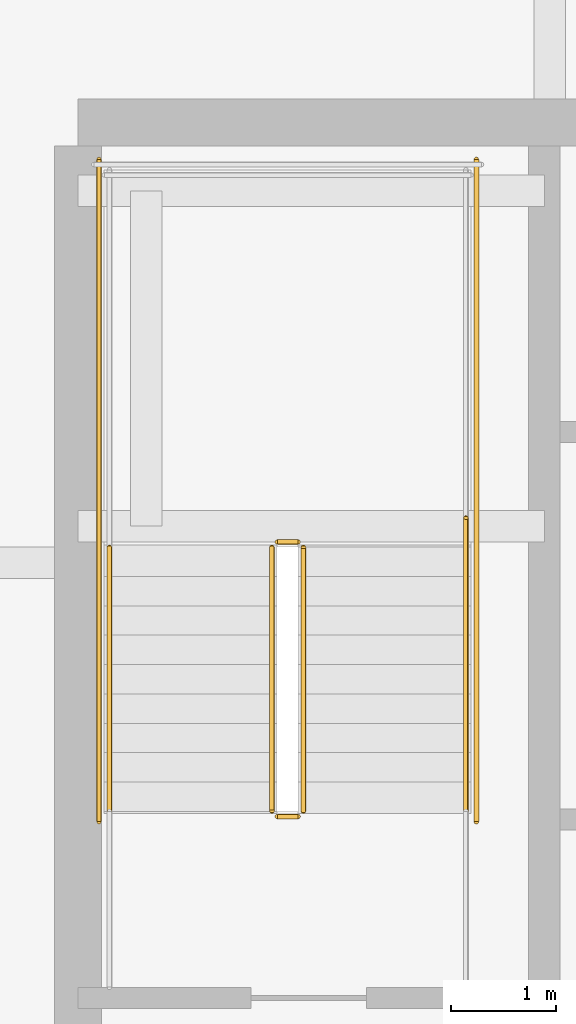
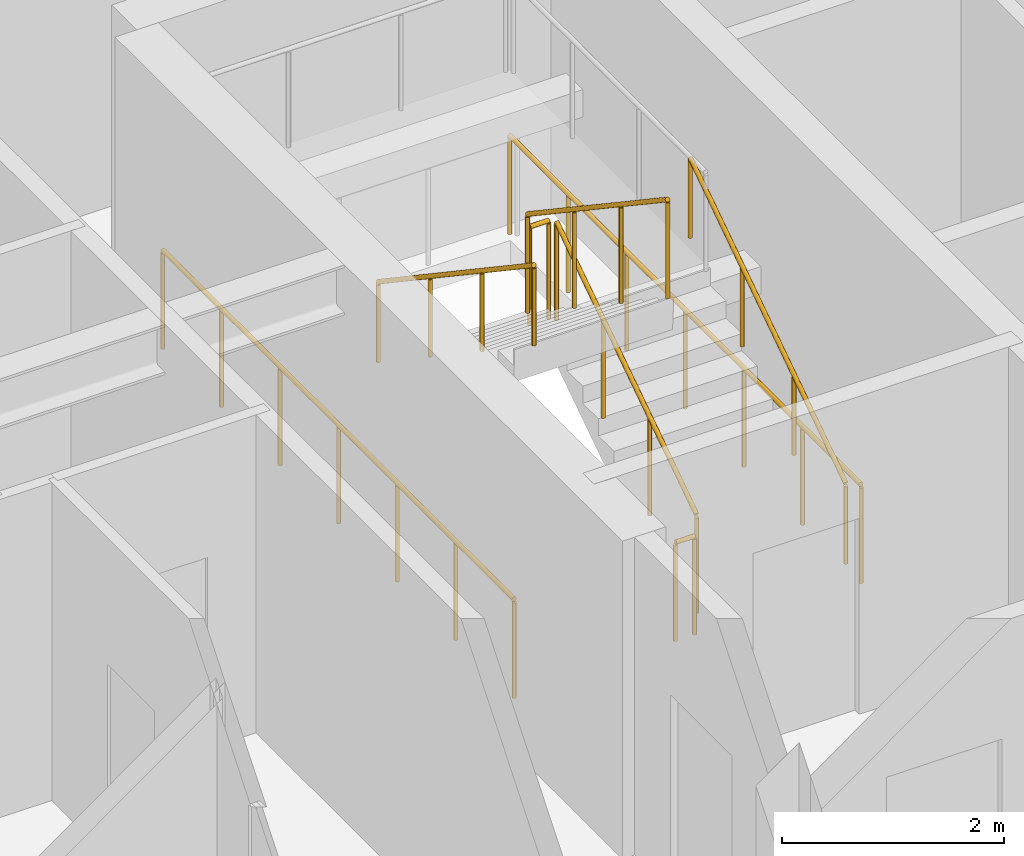
# One storey, part 32 of 36: 8 railings.
"""IFC4 building model written with IfcOpenShell, lengths in metres."""

from ifc_helpers import new_model, si_unit, direction, frame, origin, origin_2d, place, context, subcontext, project, spatial, circle, extrude, material, type_object, element, save


model = new_model("IFC4")

# Units and contexts
model_context = context("Model", 3, precision=1e-05, world=origin(), true_north=direction((0.0, 1.0)))
body_context = subcontext(model_context, "Body", "Model", "MODEL_VIEW")
ifc_project = project(units=[si_unit("LENGTHUNIT", "METRE"), si_unit("AREAUNIT", "SQUARE_METRE"), si_unit("VOLUMEUNIT", "CUBIC_METRE"), si_unit("PLANEANGLEUNIT", "RADIAN"), si_unit("MASSUNIT", "GRAM", prefix="KILO")], contexts=[model_context])

# Site, building, storey
site_placement = place(None, origin())
site = spatial("IfcSite", under=ifc_project, at=site_placement, CompositionType="ELEMENT")
building_placement = place(site_placement, origin())
building = spatial("IfcBuilding", under=site, at=building_placement, Name="Serunith Strait Residences", CompositionType="ELEMENT")
storey_placement = place(building_placement, frame((0.0, 0.0, 41.699951171875)))
storey = spatial("IfcBuildingStorey", under=building, at=storey_placement, Name="L09", CompositionType="ELEMENT", Elevation=41.699951171875)

# Railings
ifc_material = material(Name="Brushed stainless steel 316L", Category="steel")
railing_type_1 = type_object("IfcRailingType", Name="RLG-STAIR-GUARD", PredefinedType="BALUSTRADE", material=ifc_material)
railing_1_placement = place(storey_placement, frame((25.550048828125, 27.030029296875, 0.1875)))
element("IfcRailing", 1, at=railing_1_placement, inside=storey, type_object=railing_type_1, Name="L09 ST-1 stair guard 1", PredefinedType="BALUSTRADE", context=body_context, shape_type="SweptSolid", body=[
    extrude(circle(Radius=0.02392578125, at=origin_2d()), frame((0.0, 0.001708984375, 1.0771484375), z_axis=(0.0, 0.830909170722, 0.55640807867), x_axis=(-1.0, 0.0, 0.0)), (0.0, 0.0, 1.0), 3.02880859375),
    extrude(circle(Radius=0.02099609375, at=origin_2d()), origin(), (0.0, 0.0, 1.0), 1.050048828125),
    extrude(circle(Radius=0.02099609375, at=origin_2d()), frame((0.0, 0.840087890625, 0.5625)), (0.0, 0.0, 1.0), 1.050048828125),
    extrude(circle(Radius=0.02099609375, at=origin_2d()), frame((0.0, 1.679931640625, 1.125)), (0.0, 0.0, 1.0), 1.050048828125),
    extrude(circle(Radius=0.02099609375, at=origin_2d()), frame((0.0, 2.52001953125, 1.6875)), (0.0, 0.0, 1.0), 1.050048828125),
])
railing_2_placement = place(storey_placement, frame((25.5, 29.60009765625, 1.875)))
element("IfcRailing", 2, at=railing_2_placement, inside=storey, type_object=railing_type_1, Name="L09 ST-1 stair guard 2", PredefinedType="BALUSTRADE", context=body_context, shape_type="SweptSolid", body=[
    extrude(circle(Radius=0.02392578125, at=origin_2d()), frame((-0.001953125, 0.0, 1.076171875), z_axis=(-1.0, 0.0, 0.0), x_axis=(0.0, -1.0, 0.0)), (0.0, 0.0, 1.0), 0.196044921875),
    extrude(circle(Radius=0.02099609375, at=origin_2d()), origin(), (0.0, 0.0, 1.0), 1.050048828125),
    extrude(circle(Radius=0.02099609375, at=origin_2d()), frame((-0.199951171875, 0.0, 0.0)), (0.0, 0.0, 1.0), 1.050048828125),
])
railing_3_placement = place(storey_placement, frame((25.25, 29.550048828125, 2.0625)))
element("IfcRailing", 3, at=railing_3_placement, inside=storey, type_object=railing_type_1, Name="L09 ST-1 stair guard 6", PredefinedType="BALUSTRADE", context=body_context, shape_type="SweptSolid", body=[
    extrude(circle(Radius=0.02392578125, at=origin_2d()), frame((0.0, -0.001708984375, 1.0771484375), z_axis=(0.0, -0.830909170722, 0.55640807867), x_axis=(1.0, 0.0, 0.0)), (0.0, 0.0, 1.0), 3.02880859375),
    extrude(circle(Radius=0.02099609375, at=origin_2d()), origin(), (0.0, 0.0, 1.0), 1.050048828125),
    extrude(circle(Radius=0.02099609375, at=origin_2d()), frame((0.0, -0.840087890625, 0.5625)), (0.0, 0.0, 1.0), 1.050048828125),
    extrude(circle(Radius=0.02099609375, at=origin_2d()), frame((0.0, -1.679931640625, 1.125)), (0.0, 0.0, 1.0), 1.050048828125),
    extrude(circle(Radius=0.02099609375, at=origin_2d()), frame((0.0, -2.52001953125, 1.6875)), (0.0, 0.0, 1.0), 1.050048828125),
])
railing_4_placement = place(storey_placement, frame((25.5, 26.97998046875, 0.0)))
element("IfcRailing", 4, at=railing_4_placement, inside=storey, type_object=railing_type_1, Name="L09 ST-1 stair guard 7", PredefinedType="BALUSTRADE", context=body_context, shape_type="SweptSolid", body=[
    extrude(circle(Radius=0.02392578125, at=origin_2d()), frame((-0.001953125, 0.0, 1.076171875), z_axis=(-1.0, 0.0, 0.0), x_axis=(0.0, -1.0, 0.0)), (0.0, 0.0, 1.0), 0.196044921875),
    extrude(circle(Radius=0.02099609375, at=origin_2d()), origin(), (0.0, 0.0, 1.0), 1.050048828125),
    extrude(circle(Radius=0.02099609375, at=origin_2d()), frame((-0.199951171875, 0.0, 0.0)), (0.0, 0.0, 1.0), 1.050048828125),
])
for number, where, name in (
    (5, (27.199951171875, 26.929931640625, 0.0), "L09 ST-1 stair guard 10"),
    (6, (23.60009765625, 26.929931640625, 0.0), "L09 ST-1 stair guard 11"),
):
    element("IfcRailing", number, at=place(storey_placement, frame(where)), inside=storey, type_object=railing_type_1, Name=name, PredefinedType="BALUSTRADE", context=body_context, shape_type="SweptSolid", body=[
        extrude(circle(Radius=0.02392578125, at=origin_2d()), frame((0.0, 0.001953125, 1.076171875), z_axis=(0.0, 1.0, 0.0), x_axis=(-1.0, 0.0, 0.0)), (0.0, 0.0, 1.0), 6.316162109375),
        extrude(circle(Radius=0.02099609375, at=origin_2d()), origin(), (0.0, 0.0, 1.0), 1.050048828125),
        extrude(circle(Radius=0.02099609375, at=origin_2d()), frame((0.0, 1.05322265625, 0.0)), (0.0, 0.0, 1.0), 1.050048828125),
        extrude(circle(Radius=0.02099609375, at=origin_2d()), frame((0.0, 2.106689453125, 0.0)), (0.0, 0.0, 1.0), 1.050048828125),
        extrude(circle(Radius=0.02099609375, at=origin_2d()), frame((0.0, 3.16015625, 0.0)), (0.0, 0.0, 1.0), 1.050048828125),
        extrude(circle(Radius=0.02099609375, at=origin_2d()), frame((0.0, 4.21337890625, 0.0)), (0.0, 0.0, 1.0), 1.050048828125),
        extrude(circle(Radius=0.02099609375, at=origin_2d()), frame((0.0, 5.2666015625, 0.0)), (0.0, 0.0, 1.0), 1.050048828125),
        extrude(circle(Radius=0.02099609375, at=origin_2d()), frame((0.0, 6.320068359375, 0.0)), (0.0, 0.0, 1.0), 1.050048828125),
    ])
railing_type_2 = type_object("IfcRailingType", Name="RLG-STAIR-HR", PredefinedType="HANDRAIL", material=ifc_material)
railing_5_placement = place(storey_placement, frame((27.10009765625, 27.030029296875, 0.1875)))
element("IfcRailing", 7, at=railing_5_placement, inside=storey, type_object=railing_type_2, Name="L09 ST-1 stair handrail 1", PredefinedType="HANDRAIL", context=body_context, shape_type="SweptSolid", body=[
    extrude(circle(Radius=0.02392578125, at=origin_2d()), frame((0.0, 0.001708984375, 0.876953125), z_axis=(0.0, 0.830208209119, 0.557453432594), x_axis=(-1.0, 0.0, 0.0)), (0.0, 0.0, 1.0), 3.36865234375),
    extrude(circle(Radius=0.02099609375, at=origin_2d()), origin(), (0.0, 0.0, 1.0), 0.849853515625),
    extrude(circle(Radius=0.02099609375, at=origin_2d()), frame((0.0, 0.933349609375, 0.626708984375)), (0.0, 0.0, 1.0), 0.849853515625),
    extrude(circle(Radius=0.02099609375, at=origin_2d()), frame((0.0, 1.86669921875, 1.25341796875)), (0.0, 0.0, 1.0), 0.849853515625),
    extrude(circle(Radius=0.02099609375, at=origin_2d()), frame((0.0, 2.800048828125, 1.880126953125)), (0.0, 0.0, 1.0), 0.849853515625),
])
railing_6_placement = place(storey_placement, frame((23.699951171875, 29.550048828125, 2.0625)))
element("IfcRailing", 8, at=railing_6_placement, inside=storey, type_object=railing_type_2, Name="L09 ST-1 stair handrail 2", PredefinedType="HANDRAIL", context=body_context, shape_type="SweptSolid", body=[
    extrude(circle(Radius=0.02392578125, at=origin_2d()), frame((0.0, -0.001708984375, 0.876953125), z_axis=(0.0, -0.830208209119, 0.557453432594), x_axis=(1.0, 0.0, 0.0)), (0.0, 0.0, 1.0), 3.36865234375),
    extrude(circle(Radius=0.02099609375, at=origin_2d()), origin(), (0.0, 0.0, 1.0), 0.849853515625),
    extrude(circle(Radius=0.02099609375, at=origin_2d()), frame((0.0, -0.933349609375, 0.626708984375)), (0.0, 0.0, 1.0), 0.849853515625),
    extrude(circle(Radius=0.02099609375, at=origin_2d()), frame((0.0, -1.86669921875, 1.25341796875)), (0.0, 0.0, 1.0), 0.849853515625),
    extrude(circle(Radius=0.02099609375, at=origin_2d()), frame((0.0, -2.800048828125, 1.880126953125)), (0.0, 0.0, 1.0), 0.849853515625),
])

save(model, "model.ifc")
